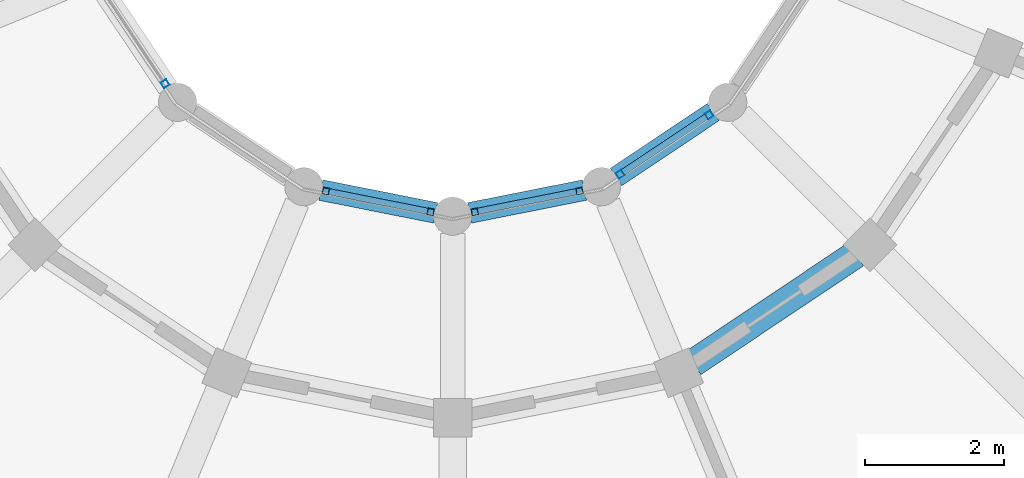
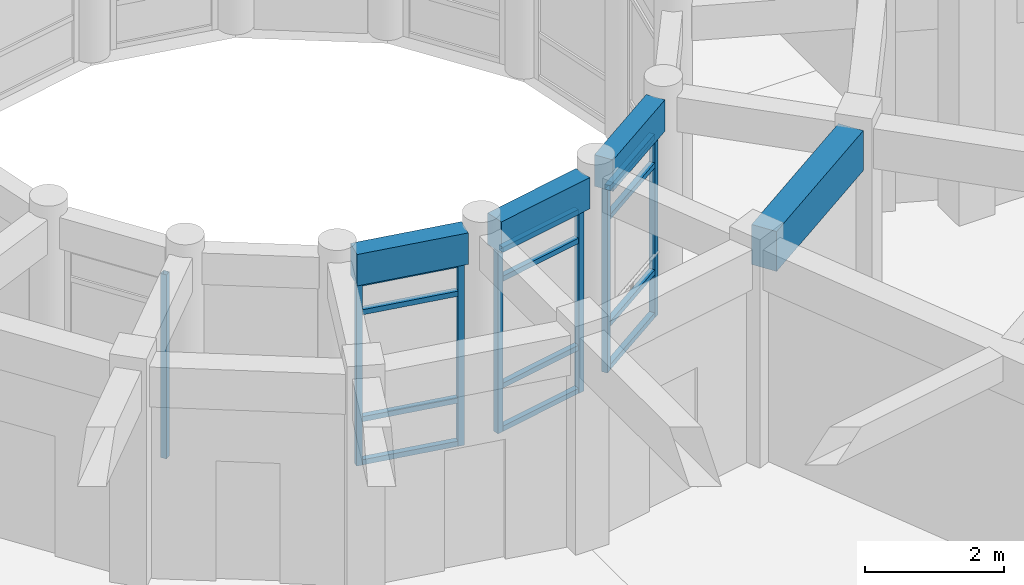
# One storey, part 11 of 159: 19 members, 4 beams, 4 elements without a shape of their own.
"""IFC4 building model written with IfcOpenShell, lengths in metres."""

from ifc_helpers import new_model, si_unit, direction, frame, origin, origin_2d, place, context, subcontext, project, spatial, rectangle, hollow_rectangle, extrude, material, material_profile, profile_set, type_object, element, aggregate, save


model = new_model("IFC4")

# Units and contexts
model_context = context("Model", 3, precision=1e-05, world=origin(), true_north=direction((0.0, 1.0)))
body_context = subcontext(model_context, "Body", "Model", "MODEL_VIEW")
ifc_project = project(units=[si_unit("LENGTHUNIT", "METRE"), si_unit("AREAUNIT", "SQUARE_METRE"), si_unit("VOLUMEUNIT", "CUBIC_METRE"), si_unit("PLANEANGLEUNIT", "RADIAN"), si_unit("MASSUNIT", "GRAM", prefix="KILO")], contexts=[model_context])

# Site, building, storey
site_placement = place(None, origin())
site = spatial("IfcSite", under=ifc_project, at=site_placement, CompositionType="ELEMENT")
building_placement = place(site_placement, origin())
building = spatial("IfcBuilding", under=site, at=building_placement, Name="Celadon Cloister-Ring School", CompositionType="ELEMENT")
storey_placement = place(building_placement, frame((0.0, 0.0, 4.5)))
storey = spatial("IfcBuildingStorey", under=building, at=storey_placement, Name="L01", CompositionType="ELEMENT", Elevation=4.5)

# Curtain wall, member
ifc_material_1 = material(Name="Aluminium EN AW-6063 T6", Category="aluminium")
curtain_wall_type = type_object("IfcCurtainWallType", Name="CW-04", PredefinedType="USERDEFINED", material=ifc_material_1)
curtain_wall_1_placement = place(storey_placement, origin())
curtain_wall_1 = element("IfcCurtainWall", 1, at=curtain_wall_1_placement, inside=storey, type_object=curtain_wall_type, Name="Curtain Wall 0146", ObjectType="CURTAIN WALL", PredefinedType="USERDEFINED")
ifc_material_2 = material(Name="Aluminium EN AW-6063 T6", Category="aluminium")
ifc_material_profile_1 = material_profile(ifc_material_2, hollow_rectangle(XDim=0.094970703125, YDim=0.094970703125, WallThickness=0.00390625, at=origin_2d()), Name="RHS95X95X4")
ifc_profile_set_1 = profile_set([ifc_material_profile_1], Name="Aluminium EN AW-6063 T6")
member_type_1 = type_object("IfcMemberType", Name="CM-02", PredefinedType="MULLION", material=ifc_profile_set_1)
member_1_placement = place(storey_placement, frame((16.060546875, 16.30859375, 0.0), z_axis=(0.0, 0.0, 1.0), x_axis=(0.831485091394, 0.555547066224, 0.0)))
member_1 = element("IfcMember", 2, at=member_1_placement, type_object=member_type_1, Name="CW-04 mullion 2", PredefinedType="MULLION", context=body_context, shape_type="SweptSolid", body=[
    extrude(hollow_rectangle(XDim=0.094970703125, YDim=0.094970703125, WallThickness=0.00390625, at=origin_2d()), origin(), (0.0, 0.0, 1.0), 3.221923828125),
])
aggregate(curtain_wall_1, [member_1])

# Curtain wall, members
curtain_wall_2_placement = place(storey_placement, origin())
curtain_wall_2 = element("IfcCurtainWall", 3, at=curtain_wall_2_placement, inside=storey, type_object=curtain_wall_type, Name="Curtain Wall 0147", ObjectType="CURTAIN WALL", PredefinedType="USERDEFINED")
member_2_placement = place(storey_placement, frame((18.37353515625, 14.7626953125, 0.0), z_axis=(0.0, 0.0, 1.0), x_axis=(0.194586131301, 0.980885435464, 0.0)))
member_2 = element("IfcMember", 4, at=member_2_placement, type_object=member_type_1, Name="CW-04 mullion 1", PredefinedType="MULLION", context=body_context, shape_type="SweptSolid", body=[
    extrude(hollow_rectangle(XDim=0.094970703125, YDim=0.094970703125, WallThickness=0.00390625, at=origin_2d()), origin(), (0.0, 0.0, 1.0), 3.221923828125),
])
member_3_placement = place(storey_placement, frame((19.88330078125, 14.463134765625, 0.0), z_axis=(0.0, 0.0, 1.0), x_axis=(0.194586131301, 0.980885435464, 0.0)))
member_3 = element("IfcMember", 5, at=member_3_placement, type_object=member_type_1, Name="CW-04 mullion 2", PredefinedType="MULLION", context=body_context, shape_type="SweptSolid", body=[
    extrude(hollow_rectangle(XDim=0.094970703125, YDim=0.094970703125, WallThickness=0.00390625, at=origin_2d()), origin(), (0.0, 0.0, 1.0), 3.221923828125),
])

curtain_wall_3_placement = place(storey_placement, origin())
curtain_wall_3 = element("IfcCurtainWall", 6, at=curtain_wall_3_placement, inside=storey, type_object=curtain_wall_type, Name="Curtain Wall 0148", ObjectType="CURTAIN WALL", PredefinedType="USERDEFINED")
member_4_placement = place(storey_placement, frame((20.5166015625, 14.463134765625, 0.0), z_axis=(0.0, 0.0, 1.0), x_axis=(-0.194586131301, 0.980885435464, 0.0)))
member_4 = element("IfcMember", 7, at=member_4_placement, type_object=member_type_1, Name="CW-04 mullion 1", PredefinedType="MULLION", context=body_context, shape_type="SweptSolid", body=[
    extrude(hollow_rectangle(XDim=0.094970703125, YDim=0.094970703125, WallThickness=0.00390625, at=origin_2d()), origin(), (0.0, 0.0, 1.0), 3.221923828125),
])
member_5_placement = place(storey_placement, frame((22.0263671875, 14.7626953125, 0.0), z_axis=(0.0, 0.0, 1.0), x_axis=(-0.194586131301, 0.980885435464, 0.0)))
member_5 = element("IfcMember", 8, at=member_5_placement, type_object=member_type_1, Name="CW-04 mullion 2", PredefinedType="MULLION", context=body_context, shape_type="SweptSolid", body=[
    extrude(hollow_rectangle(XDim=0.094970703125, YDim=0.094970703125, WallThickness=0.00390625, at=origin_2d()), origin(), (0.0, 0.0, 1.0), 3.221923828125),
])

curtain_wall_4_placement = place(storey_placement, origin())
curtain_wall_4 = element("IfcCurtainWall", 9, at=curtain_wall_4_placement, inside=storey, type_object=curtain_wall_type, Name="Curtain Wall 0149", ObjectType="CURTAIN WALL", PredefinedType="USERDEFINED")
member_6_placement = place(storey_placement, frame((22.611572265625, 15.00537109375, 0.0), z_axis=(0.0, 0.0, 1.0), x_axis=(-0.555547066224, 0.831485091394, 0.0)))
member_6 = element("IfcMember", 10, at=member_6_placement, type_object=member_type_1, Name="CW-04 mullion 1", PredefinedType="MULLION", context=body_context, shape_type="SweptSolid", body=[
    extrude(hollow_rectangle(XDim=0.094970703125, YDim=0.094970703125, WallThickness=0.00390625, at=origin_2d()), origin(), (0.0, 0.0, 1.0), 3.221923828125),
])
member_7_placement = place(storey_placement, frame((23.8916015625, 15.860595703125, 0.0), z_axis=(0.0, 0.0, 1.0), x_axis=(-0.555547066224, 0.831485091394, 0.0)))
member_7 = element("IfcMember", 11, at=member_7_placement, type_object=member_type_1, Name="CW-04 mullion 2", PredefinedType="MULLION", context=body_context, shape_type="SweptSolid", body=[
    extrude(hollow_rectangle(XDim=0.094970703125, YDim=0.094970703125, WallThickness=0.00390625, at=origin_2d()), origin(), (0.0, 0.0, 1.0), 3.221923828125),
])

# Member
ifc_material_3 = material(Name="Aluminium EN AW-6063 T6", Category="aluminium")
ifc_material_profile_2 = material_profile(ifc_material_3, hollow_rectangle(XDim=0.090087890625, YDim=0.090087890625, WallThickness=0.00390625, at=origin_2d()), Name="RHS90X90X4")
ifc_profile_set_2 = profile_set([ifc_material_profile_2], Name="Aluminium EN AW-6063 T6")
member_type_2 = type_object("IfcMemberType", Name="CTM-02", PredefinedType="USERDEFINED", material=ifc_profile_set_2)
member_8_placement = place(storey_placement, frame((18.420166015625, 14.75341796875, 0.044921875), z_axis=(0.98089149302, -0.194555593394, 0.0), x_axis=(0.194555593394, 0.98089149302, 0.0)))
member_8 = element("IfcMember", 12, at=member_8_placement, type_object=member_type_2, Name="CW-04 transom 1.1", ObjectType="TRANSOM", PredefinedType="USERDEFINED", context=body_context, shape_type="SweptSolid", body=[
    extrude(hollow_rectangle(XDim=0.090087890625, YDim=0.090087890625, WallThickness=0.00390625, at=origin_2d()), origin(), (0.0, 0.0, 1.0), 1.4443359375),
])

member_9_placement = place(storey_placement, frame((18.420166015625, 14.75341796875, 0.800048828125), z_axis=(0.98089149302, -0.194555593394, 0.0), x_axis=(0.194555593394, 0.98089149302, 0.0)))
member_9 = element("IfcMember", 13, at=member_9_placement, type_object=member_type_2, Name="CW-04 transom 1.2", ObjectType="TRANSOM", PredefinedType="USERDEFINED", context=body_context, shape_type="SweptSolid", body=[
    extrude(hollow_rectangle(XDim=0.090087890625, YDim=0.090087890625, WallThickness=0.00390625, at=origin_2d()), origin(), (0.0, 0.0, 1.0), 1.4443359375),
])

member_10_placement = place(storey_placement, frame((18.420166015625, 14.75341796875, 2.672119140625), z_axis=(0.98089149302, -0.194555593394, 0.0), x_axis=(0.194555593394, 0.98089149302, 0.0)))
member_10 = element("IfcMember", 14, at=member_10_placement, type_object=member_type_2, Name="CW-04 transom 1.3", ObjectType="TRANSOM", PredefinedType="USERDEFINED", context=body_context, shape_type="SweptSolid", body=[
    extrude(hollow_rectangle(XDim=0.090087890625, YDim=0.090087890625, WallThickness=0.00390625, at=origin_2d()), origin(), (0.0, 0.0, 1.0), 1.4443359375),
])

member_11_placement = place(storey_placement, frame((18.420166015625, 14.75341796875, 3.177001953125), z_axis=(0.98089149302, -0.194555593394, 0.0), x_axis=(0.194555593394, 0.98089149302, 0.0)))
member_11 = element("IfcMember", 15, at=member_11_placement, type_object=member_type_2, Name="CW-04 transom 1.4", ObjectType="TRANSOM", PredefinedType="USERDEFINED", context=body_context, shape_type="SweptSolid", body=[
    extrude(hollow_rectangle(XDim=0.090087890625, YDim=0.090087890625, WallThickness=0.00390625, at=origin_2d()), origin(), (0.0, 0.0, 1.0), 1.4443359375),
])

aggregate(curtain_wall_2, [member_2, member_3, member_8, member_9, member_10, member_11])

member_12_placement = place(storey_placement, frame((20.563232421875, 14.472412109375, 0.044921875), z_axis=(0.980885093257, 0.194587856315, 0.0), x_axis=(-0.194587856315, 0.980885093257, 0.0)))
member_12 = element("IfcMember", 16, at=member_12_placement, type_object=member_type_2, Name="CW-04 transom 1.1", ObjectType="TRANSOM", PredefinedType="USERDEFINED", context=body_context, shape_type="SweptSolid", body=[
    extrude(hollow_rectangle(XDim=0.090087890625, YDim=0.090087890625, WallThickness=0.00390625, at=origin_2d()), origin(), (0.0, 0.0, 1.0), 1.444091796875),
])

member_13_placement = place(storey_placement, frame((20.563232421875, 14.472412109375, 0.800048828125), z_axis=(0.980885093257, 0.194587856315, 0.0), x_axis=(-0.194587856315, 0.980885093257, 0.0)))
member_13 = element("IfcMember", 17, at=member_13_placement, type_object=member_type_2, Name="CW-04 transom 1.2", ObjectType="TRANSOM", PredefinedType="USERDEFINED", context=body_context, shape_type="SweptSolid", body=[
    extrude(hollow_rectangle(XDim=0.090087890625, YDim=0.090087890625, WallThickness=0.00390625, at=origin_2d()), origin(), (0.0, 0.0, 1.0), 1.444091796875),
])

member_14_placement = place(storey_placement, frame((20.563232421875, 14.472412109375, 2.672119140625), z_axis=(0.980885093257, 0.194587856315, 0.0), x_axis=(-0.194587856315, 0.980885093257, 0.0)))
member_14 = element("IfcMember", 18, at=member_14_placement, type_object=member_type_2, Name="CW-04 transom 1.3", ObjectType="TRANSOM", PredefinedType="USERDEFINED", context=body_context, shape_type="SweptSolid", body=[
    extrude(hollow_rectangle(XDim=0.090087890625, YDim=0.090087890625, WallThickness=0.00390625, at=origin_2d()), origin(), (0.0, 0.0, 1.0), 1.444091796875),
])

member_15_placement = place(storey_placement, frame((20.563232421875, 14.472412109375, 3.177001953125), z_axis=(0.980885093257, 0.194587856315, 0.0), x_axis=(-0.194587856315, 0.980885093257, 0.0)))
member_15 = element("IfcMember", 19, at=member_15_placement, type_object=member_type_2, Name="CW-04 transom 1.4", ObjectType="TRANSOM", PredefinedType="USERDEFINED", context=body_context, shape_type="SweptSolid", body=[
    extrude(hollow_rectangle(XDim=0.090087890625, YDim=0.090087890625, WallThickness=0.00390625, at=origin_2d()), origin(), (0.0, 0.0, 1.0), 1.444091796875),
])

aggregate(curtain_wall_3, [member_4, member_5, member_12, member_13, member_14, member_15])

member_16_placement = place(storey_placement, frame((22.65087890625, 15.03173828125, 0.044921875), z_axis=(0.831503875559, 0.555518951009, 0.0), x_axis=(-0.555518951009, 0.831503875559, 0.0)))
member_16 = element("IfcMember", 20, at=member_16_placement, type_object=member_type_2, Name="CW-04 transom 1.1", ObjectType="TRANSOM", PredefinedType="USERDEFINED", context=body_context, shape_type="SweptSolid", body=[
    extrude(hollow_rectangle(XDim=0.090087890625, YDim=0.090087890625, WallThickness=0.00390625, at=origin_2d()), origin(), (0.0, 0.0, 1.0), 1.444580078125),
])

member_17_placement = place(storey_placement, frame((22.65087890625, 15.03173828125, 0.800048828125), z_axis=(0.831503875559, 0.555518951009, 0.0), x_axis=(-0.555518951009, 0.831503875559, 0.0)))
member_17 = element("IfcMember", 21, at=member_17_placement, type_object=member_type_2, Name="CW-04 transom 1.2", ObjectType="TRANSOM", PredefinedType="USERDEFINED", context=body_context, shape_type="SweptSolid", body=[
    extrude(hollow_rectangle(XDim=0.090087890625, YDim=0.090087890625, WallThickness=0.00390625, at=origin_2d()), origin(), (0.0, 0.0, 1.0), 1.444580078125),
])

member_18_placement = place(storey_placement, frame((22.65087890625, 15.03173828125, 2.672119140625), z_axis=(0.831503875559, 0.555518951009, 0.0), x_axis=(-0.555518951009, 0.831503875559, 0.0)))
member_18 = element("IfcMember", 22, at=member_18_placement, type_object=member_type_2, Name="CW-04 transom 1.3", ObjectType="TRANSOM", PredefinedType="USERDEFINED", context=body_context, shape_type="SweptSolid", body=[
    extrude(hollow_rectangle(XDim=0.090087890625, YDim=0.090087890625, WallThickness=0.00390625, at=origin_2d()), origin(), (0.0, 0.0, 1.0), 1.444580078125),
])

member_19_placement = place(storey_placement, frame((22.65087890625, 15.03173828125, 3.177001953125), z_axis=(0.831503875559, 0.555518951009, 0.0), x_axis=(-0.555518951009, 0.831503875559, 0.0)))
member_19 = element("IfcMember", 23, at=member_19_placement, type_object=member_type_2, Name="CW-04 transom 1.4", ObjectType="TRANSOM", PredefinedType="USERDEFINED", context=body_context, shape_type="SweptSolid", body=[
    extrude(hollow_rectangle(XDim=0.090087890625, YDim=0.090087890625, WallThickness=0.00390625, at=origin_2d()), origin(), (0.0, 0.0, 1.0), 1.444580078125),
])

aggregate(curtain_wall_4, [member_6, member_7, member_16, member_17, member_18, member_19])

# Beams
ifc_material_4 = material(Name="Concrete C35/45", Category="concrete")
ifc_material_profile_3 = material_profile(ifc_material_4, rectangle(XDim=0.39990234375, YDim=0.699951171875, at=origin_2d()), Name="RC400X700")
ifc_profile_set_3 = profile_set([ifc_material_profile_3], Name="Concrete C35/45")
beam_type_1 = type_object("IfcBeamType", Name="GT-03", PredefinedType="USERDEFINED", material=ifc_profile_set_3)
beam_1_placement = place(storey_placement, frame((23.660888671875, 12.285888671875, 3.429931640625), z_axis=(0.831315995752, 0.555800067657, 0.0), x_axis=(-0.555800067657, 0.831315995752, 0.0)))
element("IfcBeam", 24, at=beam_1_placement, inside=storey, type_object=beam_type_1, Name="Beam 0989", ObjectType="GIRDER", PredefinedType="USERDEFINED", context=body_context, shape_type="SweptSolid", body=[
    extrude(rectangle(XDim=0.39990234375, YDim=0.699951171875, at=origin_2d()), origin(), (0.0, 0.0, 1.0), 2.816162109375),
])
ifc_material_5 = material(Name="Concrete C35/45", Category="concrete")
ifc_material_profile_4 = material_profile(ifc_material_5, rectangle(XDim=0.300048828125, YDim=0.550048828125, at=origin_2d()), Name="RC300X550")
ifc_profile_set_4 = profile_set([ifc_material_profile_4], Name="Concrete C35/45")
beam_type_2 = type_object("IfcBeamType", Name="SP-02", PredefinedType="SPANDREL", material=ifc_profile_set_4)
beam_2_placement = place(storey_placement, frame((18.302001953125, 14.777099609375, 3.5048828125), z_axis=(0.980863799725, -0.194695162728, 0.0), x_axis=(0.194695162728, 0.980863799725, 0.0)))
element("IfcBeam", 25, at=beam_2_placement, inside=storey, type_object=beam_type_2, Name="Beam 0982", PredefinedType="SPANDREL", context=body_context, shape_type="SweptSolid", body=[
    extrude(rectangle(XDim=0.300048828125, YDim=0.550048828125, at=origin_2d()), origin(), (0.0, 0.0, 1.0), 1.685302734375),
])
beam_3_placement = place(storey_placement, frame((20.445068359375, 14.448974609375, 3.5048828125), z_axis=(0.980858307367, 0.194722830887, 0.0), x_axis=(-0.194722830887, 0.980858307367, 0.0)))
element("IfcBeam", 26, at=beam_3_placement, inside=storey, type_object=beam_type_2, Name="Beam 0986", PredefinedType="SPANDREL", context=body_context, shape_type="SweptSolid", body=[
    extrude(rectangle(XDim=0.300048828125, YDim=0.550048828125, at=origin_2d()), origin(), (0.0, 0.0, 1.0), 1.68505859375),
])
beam_4_placement = place(storey_placement, frame((22.551025390625, 14.965087890625, 3.5048828125), z_axis=(0.831537153477, 0.555469137204, 0.0), x_axis=(-0.555469137204, 0.831537153477, 0.0)))
element("IfcBeam", 27, at=beam_4_placement, inside=storey, type_object=beam_type_2, Name="Beam 0990", PredefinedType="SPANDREL", context=body_context, shape_type="SweptSolid", body=[
    extrude(rectangle(XDim=0.300048828125, YDim=0.550048828125, at=origin_2d()), origin(), (0.0, 0.0, 1.0), 1.6845703125),
])

save(model, "model.ifc")
